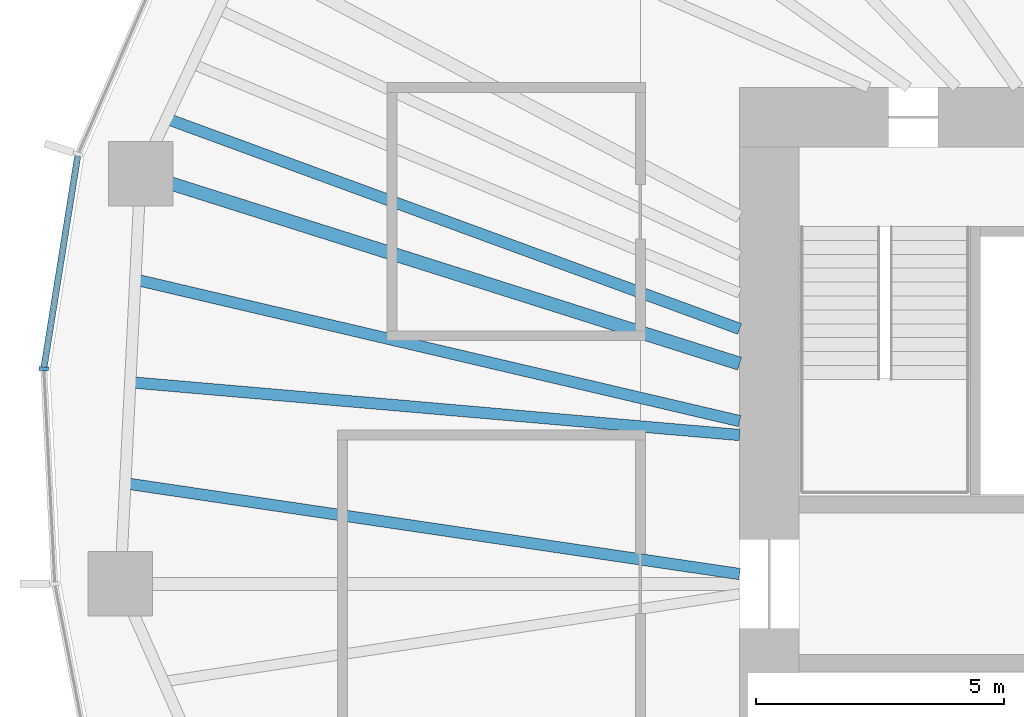
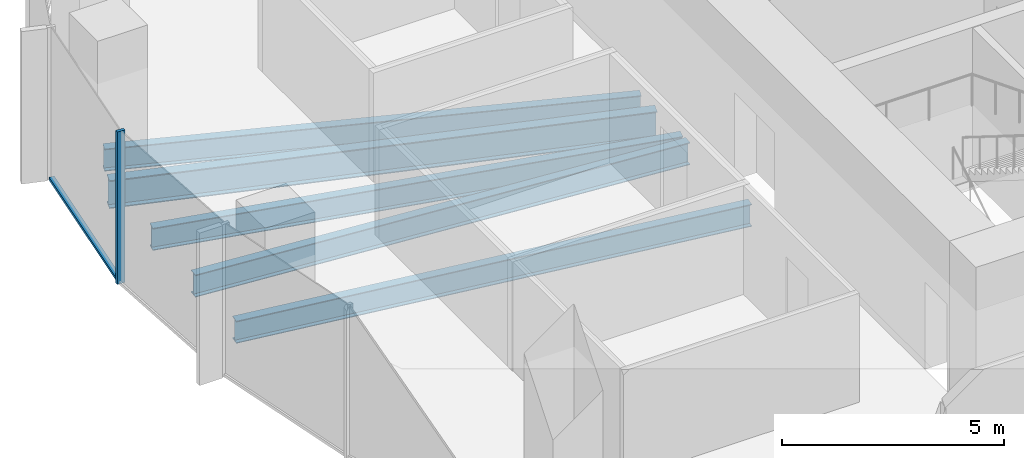
# One storey, part 3 of 11: 5 beams, 2 members, 1 element without a shape of its own.
"""IFC4 building model written with IfcOpenShell, lengths in metres."""

from ifc_helpers import new_model, si_unit, direction, frame, origin, origin_2d, place, context, subcontext, project, spatial, rectangle, i_section, extrude, material, material_profile, profile_set, type_object, element, aggregate, save


model = new_model("IFC4")

# Units and contexts
model_context = context("Model", 3, precision=1e-05, world=origin(), true_north=direction((0.0, 1.0)))
body_context = subcontext(model_context, "Body", "Model", "MODEL_VIEW")
ifc_project = project(units=[si_unit("LENGTHUNIT", "METRE"), si_unit("AREAUNIT", "SQUARE_METRE"), si_unit("VOLUMEUNIT", "CUBIC_METRE"), si_unit("PLANEANGLEUNIT", "RADIAN"), si_unit("MASSUNIT", "GRAM", prefix="KILO")], contexts=[model_context])

# Site, building, storey
site_placement = place(None, origin())
site = spatial("IfcSite", under=ifc_project, at=site_placement, CompositionType="ELEMENT")
building_placement = place(site_placement, origin())
building = spatial("IfcBuilding", under=site, at=building_placement, Name="Ghaith Harvest Tower", CompositionType="ELEMENT")
storey_placement = place(building_placement, frame((0.0, 0.0, 211.60009765625)))
storey = spatial("IfcBuildingStorey", under=building, at=storey_placement, Name="L46", CompositionType="ELEMENT", Elevation=211.60009765625)

# Curtain wall, members
ifc_material_1 = material(Name="Black anodised aluminium and fritted glass", Category="aluminium")
curtain_wall_type = type_object("IfcCurtainWallType", Name="CW-H CURTAIN WALL", PredefinedType="NOTDEFINED", material=ifc_material_1)
curtain_wall_placement = place(storey_placement, origin())
curtain_wall = element("IfcCurtainWall", 1, at=curtain_wall_placement, inside=storey, type_object=curtain_wall_type, Name="Curtain wall CW-H bay 10 L46", PredefinedType="NOTDEFINED")
ifc_material_2 = material(Name="Aluminium, black anodised", Category="aluminium")
ifc_material_profile_1 = material_profile(ifc_material_2, rectangle(XDim=0.080078125, YDim=0.199951171875, at=origin_2d()), Name="CW-H MULLION 80x200")
ifc_profile_set_1 = profile_set([ifc_material_profile_1], Name="Aluminium, black anodised")
member_type_1 = type_object("IfcMemberType", Name="CW-H MULLION 80x200", PredefinedType="MULLION", material=ifc_profile_set_1)
member_1_placement = place(storey_placement, frame((-28.015869140625, 4.333251953125, 0.0), z_axis=(0.0, 0.0, 1.0), x_axis=(-0.054116047044, -0.998534653105, 0.0)))
member_1 = element("IfcMember", 2, at=member_1_placement, type_object=member_type_1, Name="CW-H mullion 2 bay 10 L46", PredefinedType="MULLION", context=body_context, shape_type="SweptSolid", body=[
    extrude(rectangle(XDim=0.080078125, YDim=0.199951171875, at=origin_2d()), origin(), (0.0, 0.0, 1.0), 4.199951171875),
])
ifc_material_3 = material(Name="Aluminium, black anodised", Category="aluminium")
ifc_material_profile_2 = material_profile(ifc_material_3, rectangle(XDim=0.1298828125, YDim=0.080078125, at=origin_2d()), Name="CW-H TRANSOM 130x80")
ifc_profile_set_2 = profile_set([ifc_material_profile_2], Name="Aluminium, black anodised")
member_type_2 = type_object("IfcMemberType", Name="CW-H TRANSOM 130x80", PredefinedType="USERDEFINED", material=ifc_profile_set_2)
member_2_placement = place(storey_placement, frame((-27.33203125, 8.62060546875, 0.039794921875), z_axis=(-0.157492444441, -0.98752019217, 0.0), x_axis=(0.98752019217, -0.157492444441, 0.0)))
member_2 = element("IfcMember", 3, at=member_2_placement, type_object=member_type_2, Name="CW-H transom 1 bay 10 L46", ObjectType="TRANSOM", PredefinedType="USERDEFINED", context=body_context, shape_type="SweptSolid", body=[
    extrude(rectangle(XDim=0.1298828125, YDim=0.080078125, at=origin_2d()), origin(), (0.0, 0.0, 1.0), 4.3017578125),
])
aggregate(curtain_wall, [member_2, member_1])

# Beams
ifc_material_4 = material(Name="Steel ASTM A992 Grade 50", Category="steel")
ifc_material_profile_3 = material_profile(ifc_material_4, i_section(OverallWidth=0.26806640625, OverallDepth=0.77001953125, WebThickness=0.015625, FlangeThickness=0.025390625, at=origin_2d()), Name="W760X196")
ifc_profile_set_3 = profile_set([ifc_material_profile_3], Name="Steel ASTM A992 Grade 50")
beam_type_1 = type_object("IfcBeamType", Name="G760-196 W760X196", PredefinedType="BEAM", material=ifc_profile_set_3)
beam_1_placement = place(storey_placement, frame((-14.0, 4.43701171875, -0.55517578125), z_axis=(-0.953278738841, 0.302092115212, 0.0), x_axis=(-0.302092115212, -0.953278738841, 0.0)))
element("IfcBeam", 4, at=beam_1_placement, inside=storey, type_object=beam_type_1, Name="Radial girder G10 L46", PredefinedType="BEAM", context=body_context, shape_type="SweptSolid", body=[
    extrude(i_section(OverallWidth=0.26806640625, OverallDepth=0.77001953125, WebThickness=0.015625, FlangeThickness=0.025390625, at=origin_2d()), origin(), (0.0, 0.0, 1.0), 12.658203125),
])
ifc_material_5 = material(Name="Steel ASTM A992 Grade 50", Category="steel")
ifc_material_profile_4 = material_profile(ifc_material_5, i_section(OverallWidth=0.22900390625, OverallDepth=0.612060546875, WebThickness=0.011962890625, FlangeThickness=0.01953125, at=origin_2d()), Name="W610X125")
ifc_profile_set_4 = profile_set([ifc_material_profile_4], Name="Steel ASTM A992 Grade 50")
beam_type_2 = type_object("IfcBeamType", Name="J610-125 W610X125", PredefinedType="JOIST", material=ifc_profile_set_4)
beam_2_placement = place(storey_placement, frame((-14.0, 5.137939453125, -0.47607421875), z_axis=(-0.938775301049, 0.344530019216, 0.0), x_axis=(-0.344530019216, -0.938775301049, 0.0)))
element("IfcBeam", 5, at=beam_2_placement, inside=storey, type_object=beam_type_2, Name="Joist J09.3 L46", PredefinedType="JOIST", context=body_context, shape_type="SweptSolid", body=[
    extrude(i_section(OverallWidth=0.22900390625, OverallDepth=0.612060546875, WebThickness=0.011962890625, FlangeThickness=0.01953125, at=origin_2d()), origin(), (0.0, 0.0, 1.0), 12.295166015625),
])
beam_3_placement = place(storey_placement, frame((-14.0, 3.280517578125, -0.47607421875), z_axis=(-0.973621665777, 0.228168472691, 0.0), x_axis=(-0.228168472691, -0.973621665777, 0.0)))
element("IfcBeam", 6, at=beam_3_placement, inside=storey, type_object=beam_type_2, Name="Joist J10.1 L46", PredefinedType="JOIST", context=body_context, shape_type="SweptSolid", body=[
    extrude(i_section(OverallWidth=0.22900390625, OverallDepth=0.612060546875, WebThickness=0.011962890625, FlangeThickness=0.01953125, at=origin_2d()), origin(), (0.0, 0.0, 1.0), 12.501953125),
])
beam_4_placement = place(storey_placement, frame((-14.0, 3.0, -0.47607421875), z_axis=(-0.996265900996, 0.086338024716, 0.0), x_axis=(-0.086338024716, -0.996265900996, 0.0)))
element("IfcBeam", 7, at=beam_4_placement, inside=storey, type_object=beam_type_2, Name="Joist J10.2 L46", PredefinedType="JOIST", context=body_context, shape_type="SweptSolid", body=[
    extrude(i_section(OverallWidth=0.22900390625, OverallDepth=0.612060546875, WebThickness=0.011962890625, FlangeThickness=0.01953125, at=origin_2d()), origin(), (0.0, 0.0, 1.0), 12.3203125),
])
beam_5_placement = place(storey_placement, frame((-14.0, 0.199951171875, -0.47607421875), z_axis=(-0.989269378665, 0.146103033631, 0.0), x_axis=(-0.146103033631, -0.989269378665, 0.0)))
element("IfcBeam", 8, at=beam_5_placement, inside=storey, type_object=beam_type_2, Name="Joist J10.3 L46", PredefinedType="JOIST", context=body_context, shape_type="SweptSolid", body=[
    extrude(i_section(OverallWidth=0.22900390625, OverallDepth=0.612060546875, WebThickness=0.011962890625, FlangeThickness=0.01953125, at=origin_2d()), origin(), (0.0, 0.0, 1.0), 12.50927734375),
])

save(model, "model.ifc")
